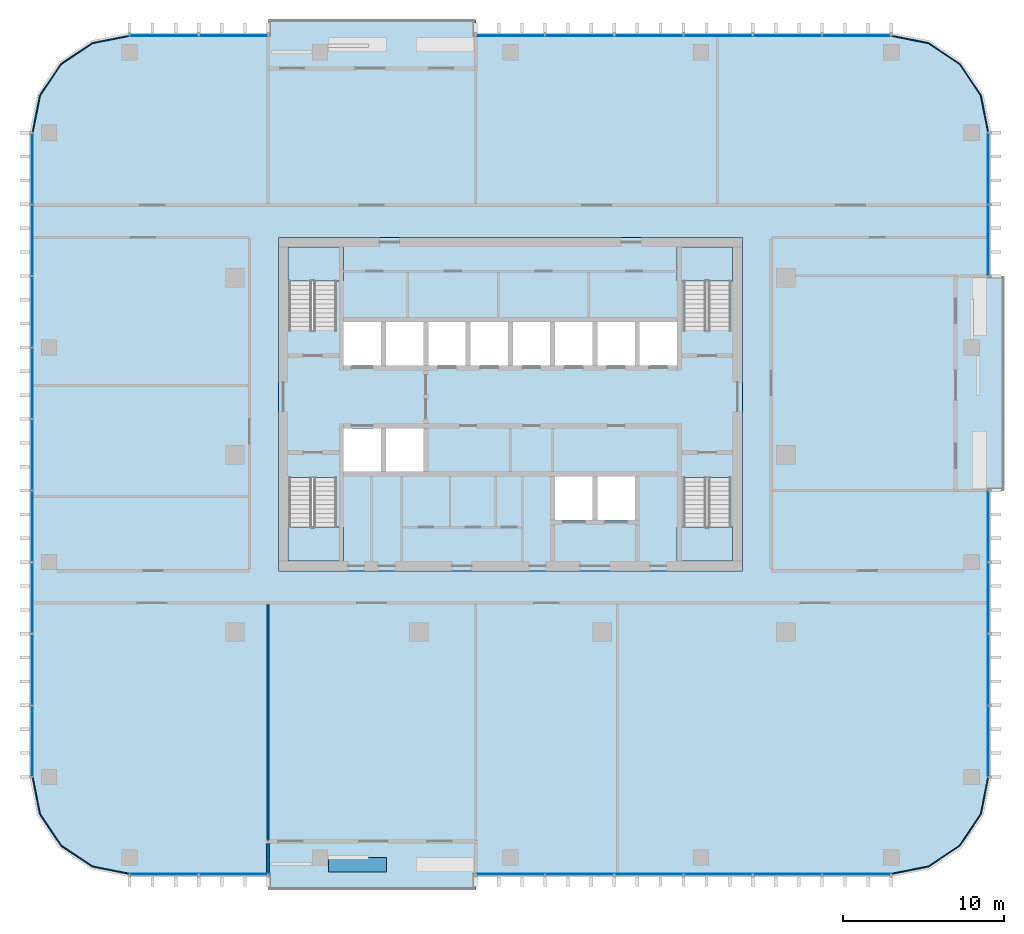
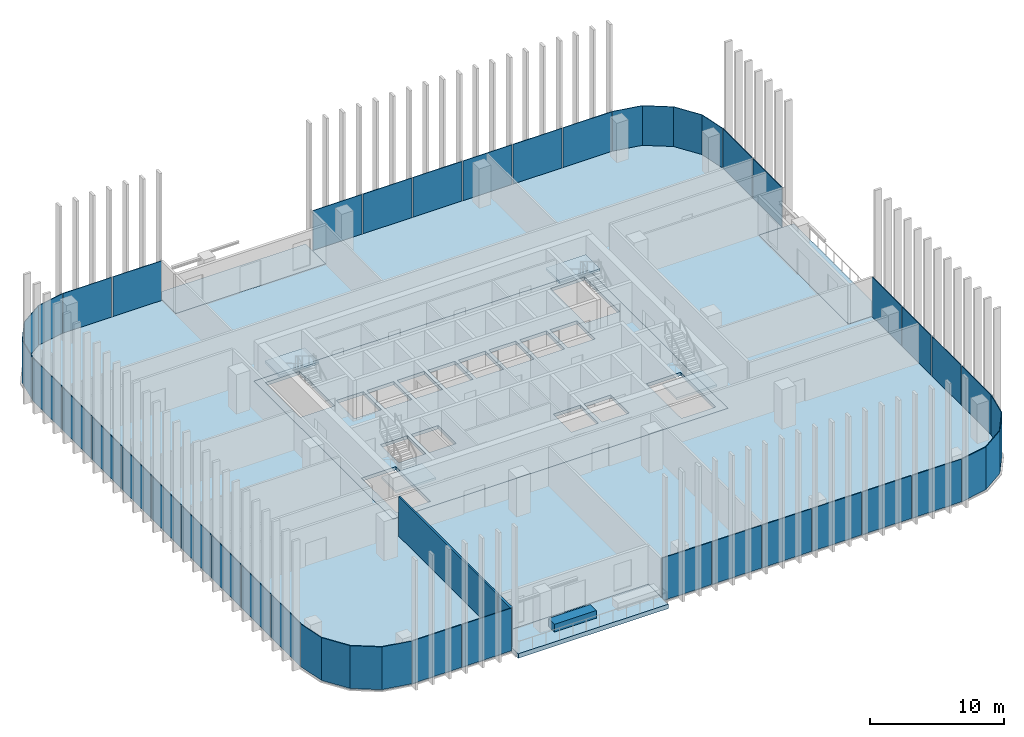
# One storey, part 6 of 16: 35 plates, 9 slabs, 3 walls, 15 elements without a shape of their own.
"""IFC4 building model written with IfcOpenShell, lengths in metres."""

import ifcopenshell
import ifcopenshell.guid

model = None  # the IFC model being written
_history = None  # IfcOwnerHistory: only IFC2X3 demands one
_inside = {}  # id of a spatial element -> (the spatial element, [elements in it])
_under = {}  # id of a project, library or spatial element -> (it, [spatial elements below it])
_declared = {}  # id of a project -> (the project, [libraries it declares])
_typed = {}  # id of a type object -> (the type object, [elements of that type])
_made_of = {}  # id of a material, layer set ... -> (it, [elements and type objects made of it])


def new_model(schema):
    """Start an empty IFC model of exactly this schema.

    Asked for "IFC4X3", IfcOpenShell would pick the latest addendum, in which some entities
    have other attributes; the version numbers below select the first issue.
    IFC2X3 requires an IfcOwnerHistory on every rooted entity: one is made here for all.
    """
    global model, _history
    if schema == "IFC4X3":
        model = ifcopenshell.file(schema_version=(4, 3, 0, 0))
    else:
        model = ifcopenshell.file(schema=schema)
    _inside.clear()
    _under.clear()
    _declared.clear()
    _typed.clear()
    _made_of.clear()
    _history = None
    if model.schema == "IFC2X3":
        org = make("IfcOrganization", Name="unknown")
        user = make(
            "IfcPersonAndOrganization",
            ThePerson=make("IfcPerson", FamilyName="unknown"),
            TheOrganization=org,
        )
        app = make(
            "IfcApplication",
            ApplicationDeveloper=org,
            Version="unknown",
            ApplicationFullName="unknown",
            ApplicationIdentifier="unknown",
        )
        _history = make(
            "IfcOwnerHistory",
            OwningUser=user,
            OwningApplication=app,
            ChangeAction="ADDED",
            CreationDate=0,
        )
    return model


def make(cls, **values):
    """One entity of the class cls with the attributes given. An attribute that is None is left unset."""
    return model.create_entity(
        cls, **{name: value for name, value in values.items() if value is not None}
    )


def rooted(cls, **values):
    """An entity with a GlobalId (a new one), such as an element, a storey or a relation."""
    return make(cls, GlobalId=ifcopenshell.guid.new(), OwnerHistory=_history, **values)


def si_unit(unit_type, name, prefix=None):
    """IfcSIUnit, for example si_unit("LENGTHUNIT", "METRE", prefix="MILLI")."""
    return make("IfcSIUnit", UnitType=unit_type, Prefix=prefix, Name=name)


def assignment(units):
    """IfcUnitAssignment: the units of a project."""
    return None if units is None else make("IfcUnitAssignment", Units=units)


def point(xyz):
    """IfcCartesianPoint."""
    return None if xyz is None else make("IfcCartesianPoint", Coordinates=xyz)


def direction(xyz):
    """IfcDirection."""
    return None if xyz is None else make("IfcDirection", DirectionRatios=xyz)


def frame(location, z_axis=None, x_axis=None):
    """IfcAxis2Placement3D, a coordinate frame: its origin and axes. An axis left out is left unset."""
    return make(
        "IfcAxis2Placement3D",
        Location=point(location),
        Axis=direction(z_axis),
        RefDirection=direction(x_axis),
    )


def frame_2d(location, x_axis=None):
    """IfcAxis2Placement2D, a coordinate frame in the plane: its origin and x axis."""
    return make(
        "IfcAxis2Placement2D", Location=point(location), RefDirection=direction(x_axis)
    )


def origin():
    """The frame at (0, 0, 0) with its axes left unset."""
    return frame((0.0, 0.0, 0.0))


def origin_2d():
    """The frame at (0, 0) in the plane with its x axis left unset."""
    return frame_2d((0.0, 0.0))


def place(relative_to, where):
    """IfcLocalPlacement: puts the frame where relative to a parent placement (None: the world)."""
    return make(
        "IfcLocalPlacement", PlacementRelTo=relative_to, RelativePlacement=where
    )


def context(
    kind, dimensions, precision=None, world=None, true_north=None, identifier=None
):
    """IfcGeometricRepresentationContext, for example the 3D "Model" context."""
    return make(
        "IfcGeometricRepresentationContext",
        ContextIdentifier=identifier,
        ContextType=kind,
        CoordinateSpaceDimension=dimensions,
        Precision=precision,
        WorldCoordinateSystem=world,
        TrueNorth=true_north,
    )


def subcontext(parent, identifier, kind, view, scale=None):
    """IfcGeometricRepresentationSubContext, for example "Body" below "Model"."""
    return make(
        "IfcGeometricRepresentationSubContext",
        ContextIdentifier=identifier,
        ContextType=kind,
        ParentContext=parent,
        TargetScale=scale,
        TargetView=view,
    )


def project(units=None, contexts=None):
    """IfcProject with its units and contexts."""
    return rooted(
        "IfcProject",
        Name="project",
        RepresentationContexts=contexts,
        UnitsInContext=assignment(units),
    )


def spatial(cls, under=None, at=None, **own):
    """A site, building, storey or space (cls), placed at a placement, below another one or the project."""
    s = rooted(cls, ObjectPlacement=at, **own)
    if under is not None:
        _under.setdefault(under.id(), (under, []))[1].append(s)
    return s


def polyline(points):
    """IfcPolyline through the points."""
    return make("IfcPolyline", Points=[point(p) for p in points])


def profile(cls, at=None, kind="AREA", **sizes):
    """A parametric profile (cls). Its sizes go by their IFC names, for example OverallWidth=200.0."""
    return make(cls, ProfileType=kind, Position=at, **sizes)


def rectangle(**sizes):
    """IfcRectangleProfileDef."""
    return profile("IfcRectangleProfileDef", **sizes)


def outline(outer, holes=None, kind="AREA"):
    """IfcArbitraryClosedProfileDef: a profile drawn as a closed curve; with holes, ...WithVoids."""
    if holes is None:
        return make("IfcArbitraryClosedProfileDef", ProfileType=kind, OuterCurve=outer)
    return make(
        "IfcArbitraryProfileDefWithVoids",
        ProfileType=kind,
        OuterCurve=outer,
        InnerCurves=holes,
    )


def extrude(swept, where, along, depth):
    """IfcExtrudedAreaSolid: the profile swept, set in the frame where, extruded along a direction by depth."""
    return make(
        "IfcExtrudedAreaSolid",
        SweptArea=swept,
        Position=where,
        ExtrudedDirection=direction(along),
        Depth=depth,
    )


def shape(context_of_items, identifier, shape_type, items):
    """IfcShapeRepresentation: the items that make up one representation, for example the "Body"."""
    return make(
        "IfcShapeRepresentation",
        ContextOfItems=context_of_items,
        RepresentationIdentifier=identifier,
        RepresentationType=shape_type,
        Items=items,
    )


def material(Name=None, Category=None):
    """IfcMaterial."""
    return make("IfcMaterial", Name=Name, Category=Category)


def layer(
    of_material, thickness, ventilated=None, Name=None, Category=None, Priority=None
):
    """IfcMaterialLayer: one layer of a wall or slab, of a material (None: an air gap)."""
    return make(
        "IfcMaterialLayer",
        Material=of_material,
        LayerThickness=thickness,
        IsVentilated=ventilated,
        Name=Name,
        Category=Category,
        Priority=Priority,
    )


def layer_set(layers, Name=None):
    """IfcMaterialLayerSet."""
    return make("IfcMaterialLayerSet", MaterialLayers=layers, LayerSetName=Name)


def made_of(thing, what):
    """Note that an element or type object is made of a material, layer set ...; save() writes the relation."""
    if what is not None:
        _made_of.setdefault(what.id(), (what, []))[1].append(thing)
    return thing


def type_object(cls, material=None, **own):
    """A type object (cls), such as IfcWallType, which elements share."""
    return made_of(rooted(cls, **own), material)


def element(
    cls,
    number,
    at=None,
    inside=None,
    cuts=None,
    type_object=None,
    material=None,
    context=None,
    identifier="Body",
    shape_type=None,
    held_by="IfcProductDefinitionShape",
    body=None,
    shapes=None,
    **own,
):
    """One element of the class cls, such as IfcWall. Its Tag is "e" and its number.

    at: its placement. inside: the storey or other place that contains it. cuts: it is an
    opening in that element (IfcRelVoidsElement). A single representation is given by context,
    identifier, shape_type and body (its items); several are given by shapes. held_by: the class
    of the entity that holds the representations. save() writes the other relations.
    """
    e = rooted(cls, Tag="e%d" % number, ObjectPlacement=at, **own)
    if body is not None:
        shapes = [shape(context, identifier, shape_type, body)]
    if shapes is not None:
        e.Representation = make(held_by, Representations=shapes)
    if inside is not None:
        _inside.setdefault(inside.id(), (inside, []))[1].append(e)
    if cuts is not None:
        rooted(
            "IfcRelVoidsElement", RelatingBuildingElement=cuts, RelatedOpeningElement=e
        )
    if type_object is not None:
        _typed.setdefault(type_object.id(), (type_object, []))[1].append(e)
    return made_of(e, material)


def aggregate(whole, parts):
    """IfcRelAggregates: a whole, such as a stair, and the parts it consists of."""
    return rooted("IfcRelAggregates", RelatingObject=whole, RelatedObjects=parts)


def save(model, path):
    """Write the relations noted so far, then the file.

    IfcRelAggregates (storeys below a building ...), IfcRelContainedInSpatialStructure (elements
    in a storey), IfcRelDefinesByType, IfcRelAssociatesMaterial and IfcRelDeclares: one each for
    every whole, place, type object, material and project.
    """
    for whole, parts in _under.values():
        aggregate(whole, parts)
    for where, things in _inside.values():
        rooted(
            "IfcRelContainedInSpatialStructure",
            RelatedElements=things,
            RelatingStructure=where,
        )
    for kind, things in _typed.values():
        rooted("IfcRelDefinesByType", RelatedObjects=things, RelatingType=kind)
    for what, things in _made_of.values():
        rooted("IfcRelAssociatesMaterial", RelatedObjects=things, RelatingMaterial=what)
    for by, libraries in _declared.values():
        rooted("IfcRelDeclares", RelatingContext=by, RelatedDefinitions=libraries)
    model.write(path)


model = new_model("IFC4")

# Units and contexts
model_context = context("Model", 3, precision=1e-05, world=origin(), true_north=direction((0.0, 1.0)))
body_context = subcontext(model_context, "Body", "Model", "MODEL_VIEW")
ifc_project = project(units=[si_unit("LENGTHUNIT", "METRE"), si_unit("AREAUNIT", "SQUARE_METRE"), si_unit("VOLUMEUNIT", "CUBIC_METRE"), si_unit("PLANEANGLEUNIT", "RADIAN"), si_unit("MASSUNIT", "GRAM", prefix="KILO")], contexts=[model_context])

# Site, building, storey
site_placement = place(None, origin())
site = spatial("IfcSite", under=ifc_project, at=site_placement, CompositionType="ELEMENT")
building_placement = place(site_placement, origin())
building = spatial("IfcBuilding", under=site, at=building_placement, Name="Mopane Tessera Tower", CompositionType="ELEMENT")
storey_placement = place(building_placement, frame((0.0, 0.0, 303.39990234375)))
storey = spatial("IfcBuildingStorey", under=building, at=storey_placement, Name="L66", CompositionType="ELEMENT", Elevation=303.39990234375)

# Slab
ifc_material_1 = material(Name="Concrete C40/50", Category="concrete")
ifc_layer_1 = layer(ifc_material_1, 0.300048828125)
ifc_layer_set_1 = layer_set([ifc_layer_1], Name="Concrete C40/50")
slab_type_1 = type_object("IfcSlabType", Name="Core floor slab 300 mm", PredefinedType="FLOOR", material=ifc_layer_set_1)
slab_1_placement = place(storey_placement, frame((0.0, 0.0, -0.2998046875)))
element("IfcSlab", 1, at=slab_1_placement, inside=storey, type_object=slab_type_1, Name="L66 core floor slab", PredefinedType="FLOOR", context=body_context, shape_type="SweptSolid", body=[
    extrude(outline(polyline([(-14.39990234375, -7.199951171875), (14.39990234375, -7.199951171875), (14.39990234375, 13.5), (-14.39990234375, 13.5), (-14.39990234375, -7.199951171875)]), holes=[polyline([(-10.35009765625, -1.050048828125), (-8.02490234375, -1.050048828125), (-8.02490234375, 1.64990234375), (-10.35009765625, 1.64990234375), (-10.35009765625, -1.050048828125)]), polyline([(-7.72509765625, -1.050048828125), (-5.39990234375, -1.050048828125), (-5.39990234375, 1.64990234375), (-7.72509765625, 1.64990234375), (-7.72509765625, -1.050048828125)]), polyline([(-10.35009765625, 5.550048828125), (-8.02490234375, 5.550048828125), (-8.02490234375, 8.25), (-10.35009765625, 8.25), (-10.35009765625, 5.550048828125)]), polyline([(-7.72509765625, 5.550048828125), (-5.39990234375, 5.550048828125), (-5.39990234375, 8.25), (-7.72509765625, 8.25), (-7.72509765625, 5.550048828125)]), polyline([(-5.10009765625, 5.550048828125), (-2.77490234375, 5.550048828125), (-2.77490234375, 8.25), (-5.10009765625, 8.25), (-5.10009765625, 5.550048828125)]), polyline([(-2.47509765625, 5.550048828125), (-0.14990234375, 5.550048828125), (-0.14990234375, 8.25), (-2.47509765625, 8.25), (-2.47509765625, 5.550048828125)]), polyline([(0.14990234375, 5.550048828125), (2.47509765625, 5.550048828125), (2.47509765625, 8.25), (0.14990234375, 8.25), (0.14990234375, 5.550048828125)]), polyline([(2.77490234375, 5.550048828125), (5.10009765625, 5.550048828125), (5.10009765625, 8.25), (2.77490234375, 8.25), (2.77490234375, 5.550048828125)]), polyline([(5.39990234375, 5.550048828125), (7.72509765625, 5.550048828125), (7.72509765625, 8.25), (5.39990234375, 8.25), (5.39990234375, 5.550048828125)]), polyline([(8.02490234375, 5.550048828125), (10.35009765625, 5.550048828125), (10.35009765625, 8.25), (8.02490234375, 8.25), (8.02490234375, 5.550048828125)]), polyline([(2.77490234375, -4.050048828125), (5.10009765625, -4.050048828125), (5.10009765625, -1.35009765625), (2.77490234375, -1.35009765625), (2.77490234375, -4.050048828125)]), polyline([(5.39990234375, -4.050048828125), (7.72509765625, -4.050048828125), (7.72509765625, -1.35009765625), (5.39990234375, -1.35009765625), (5.39990234375, -4.050048828125)]), polyline([(-13.75, -1.405029296875), (-13.75, -6.60009765625), (-10.800048828125, -6.60009765625), (-10.800048828125, -1.405029296875), (-13.75, -1.405029296875)]), polyline([(-10.800048828125, 7.705078125), (-10.800048828125, 12.89990234375), (-13.75, 12.89990234375), (-13.75, 7.705078125), (-10.800048828125, 7.705078125)]), polyline([(10.75, -1.405029296875), (10.75, -6.60009765625), (13.699951171875, -6.60009765625), (13.699951171875, -1.405029296875), (10.75, -1.405029296875)]), polyline([(13.699951171875, 7.705078125), (13.699951171875, 12.89990234375), (10.75, 12.89990234375), (10.75, 7.705078125), (13.699951171875, 7.705078125)])]), origin(), (0.0, 0.0, 1.0), 0.2998046875),
])

# Stair, slab
ifc_material_2 = material(Name="Concrete C50/60", Category="concrete")
stair_type = type_object("IfcStairType", Name="Escape stair 1400 mm, riser 167 mm", PredefinedType="HALF_TURN_STAIR", material=ifc_material_2)
stair_1_placement = place(storey_placement, origin())
stair_1 = element("IfcStair", 2, at=stair_1_placement, inside=storey, type_object=stair_type, Name="L66 Escape stair south-west", PredefinedType="HALF_TURN_STAIR")
ifc_material_3 = material(Name="Concrete C50/60", Category="concrete")
ifc_layer_2 = layer(ifc_material_3, 0.199951171875)
ifc_layer_set_2 = layer_set([ifc_layer_2], Name="Concrete C50/60")
slab_type_2 = type_object("IfcSlabType", Name="Escape stair landing 200 mm", PredefinedType="LANDING", material=ifc_layer_set_2)
slab_2_placement = place(storey_placement, frame((0.0, 0.0, 1.800048828125)))
slab_2 = element("IfcSlab", 3, at=slab_2_placement, type_object=slab_type_2, Name="ST1 landing 1", PredefinedType="LANDING", context=body_context, shape_type="SweptSolid", body=[
    extrude(outline(polyline([(-13.800048828125, -4.47998046875), (-13.800048828125, -6.60009765625), (-10.35009765625, -6.60009765625), (-10.35009765625, -4.47998046875), (-13.800048828125, -4.47998046875)])), origin(), (0.0, 0.0, 1.0), 0.199951171875),
])
aggregate(stair_1, [slab_2])

stair_2_placement = place(storey_placement, origin())
stair_2 = element("IfcStair", 4, at=stair_2_placement, inside=storey, type_object=stair_type, Name="L66 Escape stair north-west", PredefinedType="HALF_TURN_STAIR")
slab_3_placement = place(storey_placement, frame((0.0, 0.0, 1.800048828125)))
slab_3 = element("IfcSlab", 5, at=slab_3_placement, type_object=slab_type_2, Name="ST2 landing 1", PredefinedType="LANDING", context=body_context, shape_type="SweptSolid", body=[
    extrude(outline(polyline([(-10.35009765625, 10.780029296875), (-10.35009765625, 12.89990234375), (-13.800048828125, 12.89990234375), (-13.800048828125, 10.780029296875), (-10.35009765625, 10.780029296875)])), origin(), (0.0, 0.0, 1.0), 0.199951171875),
])
aggregate(stair_2, [slab_3])

stair_3_placement = place(storey_placement, origin())
stair_3 = element("IfcStair", 6, at=stair_3_placement, inside=storey, type_object=stair_type, Name="L66 Escape stair south-east", PredefinedType="HALF_TURN_STAIR")
slab_4_placement = place(storey_placement, frame((0.0, 0.0, 1.800048828125)))
slab_4 = element("IfcSlab", 7, at=slab_4_placement, type_object=slab_type_2, Name="ST3 landing 1", PredefinedType="LANDING", context=body_context, shape_type="SweptSolid", body=[
    extrude(outline(polyline([(10.35009765625, -4.47998046875), (10.35009765625, -6.60009765625), (13.800048828125, -6.60009765625), (13.800048828125, -4.47998046875), (10.35009765625, -4.47998046875)])), origin(), (0.0, 0.0, 1.0), 0.199951171875),
])
aggregate(stair_3, [slab_4])

stair_4_placement = place(storey_placement, origin())
stair_4 = element("IfcStair", 8, at=stair_4_placement, inside=storey, type_object=stair_type, Name="L66 Escape stair north-east", PredefinedType="HALF_TURN_STAIR")
slab_5_placement = place(storey_placement, frame((0.0, 0.0, 1.800048828125)))
slab_5 = element("IfcSlab", 9, at=slab_5_placement, type_object=slab_type_2, Name="ST4 landing 1", PredefinedType="LANDING", context=body_context, shape_type="SweptSolid", body=[
    extrude(outline(polyline([(13.800048828125, 10.780029296875), (13.800048828125, 12.89990234375), (10.35009765625, 12.89990234375), (10.35009765625, 10.780029296875), (13.800048828125, 10.780029296875)])), origin(), (0.0, 0.0, 1.0), 0.199951171875),
])
aggregate(stair_4, [slab_5])

# Slabs
ifc_material_4 = material(Name="Concrete C40/50", Category="concrete")
ifc_layer_3 = layer(ifc_material_4, 0.39990234375)
ifc_layer_set_3 = layer_set([ifc_layer_3], Name="Concrete C40/50")
slab_type_3 = type_object("IfcSlabType", Name="Planted terrace slab 400 mm", PredefinedType="FLOOR", material=ifc_layer_set_3)
slab_6_placement = place(storey_placement, frame((0.0, 0.0, -0.39990234375)))
element("IfcSlab", 10, at=slab_6_placement, inside=storey, type_object=slab_type_3, Name="Terrace slab N1 L66", PredefinedType="FLOOR", context=body_context, shape_type="SweptSolid", body=[
    extrude(outline(polyline([(30.64990234375, 11.111083984375), (27.64990234375, 11.111083984375), (27.64990234375, -2.22216796875), (30.64990234375, -2.22216796875), (30.64990234375, 11.111083984375)])), origin(), (0.0, 0.0, 1.0), 0.39990234375),
])
slab_7_placement = place(storey_placement, frame((0.0, 0.0, -0.39990234375)))
element("IfcSlab", 11, at=slab_7_placement, inside=storey, type_object=slab_type_3, Name="Terrace slab N2 L66", PredefinedType="FLOOR", context=body_context, shape_type="SweptSolid", body=[
    extrude(outline(polyline([(-15.050048828125, 27.0), (-15.050048828125, 24.0), (-2.14990234375, 24.0), (-2.14990234375, 27.0), (-15.050048828125, 27.0)])), origin(), (0.0, 0.0, 1.0), 0.39990234375),
])
slab_8_placement = place(storey_placement, frame((0.0, 0.0, -0.39990234375)))
element("IfcSlab", 12, at=slab_8_placement, inside=storey, type_object=slab_type_3, Name="Terrace slab N3 L66", PredefinedType="FLOOR", context=body_context, shape_type="SweptSolid", body=[
    extrude(outline(polyline([(-2.14990234375, -27.0), (-2.14990234375, -24.0), (-15.050048828125, -24.0), (-15.050048828125, -27.0), (-2.14990234375, -27.0)])), origin(), (0.0, 0.0, 1.0), 0.39990234375),
])
ifc_material_5 = material(Name="Concrete C40/50", Category="concrete")
ifc_layer_4 = layer(ifc_material_5, 0.39990234375)
ifc_layer_set_4 = layer_set([ifc_layer_4], Name="Concrete C40/50")
slab_type_4 = type_object("IfcSlabType", Name="Post-tensioned flat plate 400 mm", PredefinedType="FLOOR", material=ifc_layer_set_4)
slab_9_placement = place(storey_placement, frame((0.0, 0.0, -0.39990234375)))
element("IfcSlab", 13, at=slab_9_placement, inside=storey, type_object=slab_type_4, Name="Floor slab L66", PredefinedType="FLOOR", context=body_context, shape_type="SweptSolid", body=[
    extrude(outline(polyline([(-23.64990234375, -26.0), (-15.050048828125, -26.0), (-15.050048828125, -24.0), (-2.14990234375, -24.0), (-2.14990234375, -26.0), (23.64990234375, -26.0), (25.946044921875, -25.543212890625), (27.892578125, -24.24267578125), (29.193359375, -22.296142578125), (29.64990234375, -20.0), (29.64990234375, -2.22216796875), (27.64990234375, -2.22216796875), (27.64990234375, 11.111083984375), (29.64990234375, 11.111083984375), (29.64990234375, 20.0), (29.193359375, 22.296142578125), (27.892578125, 24.24267578125), (25.946044921875, 25.543212890625), (23.64990234375, 26.0), (-2.14990234375, 26.0), (-2.14990234375, 24.0), (-15.050048828125, 24.0), (-15.050048828125, 26.0), (-23.64990234375, 26.0), (-25.946044921875, 25.543212890625), (-27.892578125, 24.24267578125), (-29.193359375, 22.296142578125), (-29.64990234375, 20.0), (-29.64990234375, -20.0), (-29.193359375, -22.296142578125), (-27.892578125, -24.24267578125), (-25.946044921875, -25.543212890625), (-23.64990234375, -26.0)]), holes=[polyline([(14.39990234375, -7.199951171875), (-14.39990234375, -7.199951171875), (-14.39990234375, 13.5), (14.39990234375, 13.5), (14.39990234375, -7.199951171875)])]), origin(), (0.0, 0.0, 1.0), 0.39990234375),
])

# Curtain wall, plates
ifc_material_6 = material(Name="Aluminium frame", Category="aluminium")
curtain_wall_type = type_object("IfcCurtainWallType", Name="Unitised curtain wall", PredefinedType="NOTDEFINED", material=ifc_material_6)
curtain_wall_1_placement = place(storey_placement, origin())
curtain_wall_1 = element("IfcCurtainWall", 14, at=curtain_wall_1_placement, inside=storey, type_object=curtain_wall_type, Name="e:cw:L66:S:0", PredefinedType="NOTDEFINED")
ifc_material_7 = material(Name="Clear laminated glass", Category="glass")
ifc_layer_5 = layer(ifc_material_7, 0.06005859375)
ifc_layer_set_5 = layer_set([ifc_layer_5], Name="Clear laminated glass")
plate_type = type_object("IfcPlateType", Name="Unitised glazed unit", PredefinedType="CURTAIN_PANEL", material=ifc_layer_set_5)
plate_1_placement = place(storey_placement, frame((-21.5, -26.030029296875, -0.27978515625), z_axis=(0.0, 0.0, 1.0), x_axis=(1.0, 0.0, 0.0)))
plate_1 = element("IfcPlate", 15, at=plate_1_placement, type_object=plate_type, Name="e:cw:L66:S:0:pn0", PredefinedType="CURTAIN_PANEL", context=body_context, shape_type="SweptSolid", body=[
    extrude(rectangle(XDim=4.199951171875, YDim=0.06005859375, at=origin_2d()), origin(), (0.0, 0.0, 1.0), 3.8798828125),
])
plate_2_placement = place(storey_placement, frame((-17.199951171875, -26.030029296875, -0.27978515625), z_axis=(0.0, 0.0, 1.0), x_axis=(1.0, 0.0, 0.0)))
plate_2 = element("IfcPlate", 16, at=plate_2_placement, type_object=plate_type, Name="e:cw:L66:S:0:pn1", PredefinedType="CURTAIN_PANEL", context=body_context, shape_type="SweptSolid", body=[
    extrude(rectangle(XDim=4.199951171875, YDim=0.06005859375, at=origin_2d()), origin(), (0.0, 0.0, 1.0), 3.8798828125),
])
aggregate(curtain_wall_1, [plate_1, plate_2])

curtain_wall_2_placement = place(storey_placement, origin())
curtain_wall_2 = element("IfcCurtainWall", 17, at=curtain_wall_2_placement, inside=storey, type_object=curtain_wall_type, Name="e:cw:L66:S:5", PredefinedType="NOTDEFINED")
plate_3_placement = place(storey_placement, frame((0.0, -26.030029296875, -0.27978515625), z_axis=(0.0, 0.0, 1.0), x_axis=(1.0, 0.0, 0.0)))
plate_3 = element("IfcPlate", 18, at=plate_3_placement, type_object=plate_type, Name="e:cw:L66:S:5:pn5", PredefinedType="CURTAIN_PANEL", context=body_context, shape_type="SweptSolid", body=[
    extrude(rectangle(XDim=4.199951171875, YDim=0.06005859375, at=origin_2d()), origin(), (0.0, 0.0, 1.0), 3.8798828125),
])
plate_4_placement = place(storey_placement, frame((4.300048828125, -26.030029296875, -0.27978515625), z_axis=(0.0, 0.0, 1.0), x_axis=(1.0, 0.0, 0.0)))
plate_4 = element("IfcPlate", 19, at=plate_4_placement, type_object=plate_type, Name="e:cw:L66:S:5:pn6", PredefinedType="CURTAIN_PANEL", context=body_context, shape_type="SweptSolid", body=[
    extrude(rectangle(XDim=4.199951171875, YDim=0.06005859375, at=origin_2d()), origin(), (0.0, 0.0, 1.0), 3.8798828125),
])
plate_5_placement = place(storey_placement, frame((8.60009765625, -26.030029296875, -0.27978515625), z_axis=(0.0, 0.0, 1.0), x_axis=(1.0, 0.0, 0.0)))
plate_5 = element("IfcPlate", 20, at=plate_5_placement, type_object=plate_type, Name="e:cw:L66:S:5:pn7", PredefinedType="CURTAIN_PANEL", context=body_context, shape_type="SweptSolid", body=[
    extrude(rectangle(XDim=4.199951171875, YDim=0.06005859375, at=origin_2d()), origin(), (0.0, 0.0, 1.0), 3.8798828125),
])
plate_6_placement = place(storey_placement, frame((12.89990234375, -26.030029296875, -0.27978515625), z_axis=(0.0, 0.0, 1.0), x_axis=(1.0, 0.0, 0.0)))
plate_6 = element("IfcPlate", 21, at=plate_6_placement, type_object=plate_type, Name="e:cw:L66:S:5:pn8", PredefinedType="CURTAIN_PANEL", context=body_context, shape_type="SweptSolid", body=[
    extrude(rectangle(XDim=4.199951171875, YDim=0.06005859375, at=origin_2d()), origin(), (0.0, 0.0, 1.0), 3.8798828125),
])
plate_7_placement = place(storey_placement, frame((17.199951171875, -26.030029296875, -0.27978515625), z_axis=(0.0, 0.0, 1.0), x_axis=(1.0, 0.0, 0.0)))
plate_7 = element("IfcPlate", 22, at=plate_7_placement, type_object=plate_type, Name="e:cw:L66:S:5:pn9", PredefinedType="CURTAIN_PANEL", context=body_context, shape_type="SweptSolid", body=[
    extrude(rectangle(XDim=4.199951171875, YDim=0.06005859375, at=origin_2d()), origin(), (0.0, 0.0, 1.0), 3.8798828125),
])
plate_8_placement = place(storey_placement, frame((21.5, -26.030029296875, -0.27978515625), z_axis=(0.0, 0.0, 1.0), x_axis=(1.0, 0.0, 0.0)))
plate_8 = element("IfcPlate", 23, at=plate_8_placement, type_object=plate_type, Name="e:cw:L66:S:5:pn10", PredefinedType="CURTAIN_PANEL", context=body_context, shape_type="SweptSolid", body=[
    extrude(rectangle(XDim=4.199951171875, YDim=0.06005859375, at=origin_2d()), origin(), (0.0, 0.0, 1.0), 3.8798828125),
])
aggregate(curtain_wall_2, [plate_3, plate_4, plate_5, plate_6, plate_7, plate_8])

# Curtain wall, plate
curtain_wall_3_placement = place(storey_placement, origin())
curtain_wall_3 = element("IfcCurtainWall", 24, at=curtain_wall_3_placement, inside=storey, type_object=curtain_wall_type, Name="e:cw:L66:CS", PredefinedType="NOTDEFINED")
plate_9_placement = place(storey_placement, frame((0.0, 0.0, -0.27978515625)))
plate_9 = element("IfcPlate", 25, at=plate_9_placement, type_object=plate_type, Name="e:cw:L66:CS:pn", PredefinedType="CURTAIN_PANEL", context=body_context, shape_type="SweptSolid", body=[
    extrude(outline(polyline([(23.64990234375, -26.0), (25.946044921875, -25.543212890625), (27.892578125, -24.24267578125), (29.193359375, -22.296142578125), (29.64990234375, -20.0), (29.7099609375, -20.0), (29.248779296875, -22.319091796875), (27.93505859375, -24.28515625), (25.968994140625, -25.5986328125), (23.64990234375, -26.06005859375), (23.64990234375, -26.0)])), origin(), (0.0, 0.0, 1.0), 3.8798828125),
])
aggregate(curtain_wall_3, [plate_9])

# Curtain wall, plates
curtain_wall_4_placement = place(storey_placement, origin())
curtain_wall_4 = element("IfcCurtainWall", 26, at=curtain_wall_4_placement, inside=storey, type_object=curtain_wall_type, Name="e:cw:L66:E:0", PredefinedType="NOTDEFINED")
plate_10_placement = place(storey_placement, frame((29.679931640625, -17.77783203125, -0.27978515625), z_axis=(0.0, 0.0, 1.0), x_axis=(0.0, 1.0, 0.0)))
plate_10 = element("IfcPlate", 27, at=plate_10_placement, type_object=plate_type, Name="e:cw:L66:E:0:pn0", PredefinedType="CURTAIN_PANEL", context=body_context, shape_type="SweptSolid", body=[
    extrude(rectangle(XDim=4.344482421875, YDim=0.06005859375, at=origin_2d()), origin(), (0.0, 0.0, 1.0), 3.8798828125),
])
plate_11_placement = place(storey_placement, frame((29.679931640625, -13.333251953125, -0.27978515625), z_axis=(0.0, 0.0, 1.0), x_axis=(0.0, 1.0, 0.0)))
plate_11 = element("IfcPlate", 28, at=plate_11_placement, type_object=plate_type, Name="e:cw:L66:E:0:pn1", PredefinedType="CURTAIN_PANEL", context=body_context, shape_type="SweptSolid", body=[
    extrude(rectangle(XDim=4.344482421875, YDim=0.06005859375, at=origin_2d()), origin(), (0.0, 0.0, 1.0), 3.8798828125),
])
plate_12_placement = place(storey_placement, frame((29.679931640625, -8.888916015625, -0.27978515625), z_axis=(0.0, 0.0, 1.0), x_axis=(0.0, 1.0, 0.0)))
plate_12 = element("IfcPlate", 29, at=plate_12_placement, type_object=plate_type, Name="e:cw:L66:E:0:pn2", PredefinedType="CURTAIN_PANEL", context=body_context, shape_type="SweptSolid", body=[
    extrude(rectangle(XDim=4.344482421875, YDim=0.06005859375, at=origin_2d()), origin(), (0.0, 0.0, 1.0), 3.8798828125),
])
plate_13_placement = place(storey_placement, frame((29.679931640625, -4.4443359375, -0.27978515625), z_axis=(0.0, 0.0, 1.0), x_axis=(0.0, 1.0, 0.0)))
plate_13 = element("IfcPlate", 30, at=plate_13_placement, type_object=plate_type, Name="e:cw:L66:E:0:pn3", PredefinedType="CURTAIN_PANEL", context=body_context, shape_type="SweptSolid", body=[
    extrude(rectangle(XDim=4.344482421875, YDim=0.06005859375, at=origin_2d()), origin(), (0.0, 0.0, 1.0), 3.8798828125),
])
aggregate(curtain_wall_4, [plate_10, plate_11, plate_12, plate_13])

curtain_wall_5_placement = place(storey_placement, origin())
curtain_wall_5 = element("IfcCurtainWall", 31, at=curtain_wall_5_placement, inside=storey, type_object=curtain_wall_type, Name="e:cw:L66:E:7", PredefinedType="NOTDEFINED")
plate_14_placement = place(storey_placement, frame((29.679931640625, 13.333251953125, -0.27978515625), z_axis=(0.0, 0.0, 1.0), x_axis=(0.0, 1.0, 0.0)))
plate_14 = element("IfcPlate", 32, at=plate_14_placement, type_object=plate_type, Name="e:cw:L66:E:7:pn7", PredefinedType="CURTAIN_PANEL", context=body_context, shape_type="SweptSolid", body=[
    extrude(rectangle(XDim=4.344482421875, YDim=0.06005859375, at=origin_2d()), origin(), (0.0, 0.0, 1.0), 3.8798828125),
])
plate_15_placement = place(storey_placement, frame((29.679931640625, 17.77783203125, -0.27978515625), z_axis=(0.0, 0.0, 1.0), x_axis=(0.0, 1.0, 0.0)))
plate_15 = element("IfcPlate", 33, at=plate_15_placement, type_object=plate_type, Name="e:cw:L66:E:7:pn8", PredefinedType="CURTAIN_PANEL", context=body_context, shape_type="SweptSolid", body=[
    extrude(rectangle(XDim=4.344482421875, YDim=0.06005859375, at=origin_2d()), origin(), (0.0, 0.0, 1.0), 3.8798828125),
])
aggregate(curtain_wall_5, [plate_14, plate_15])

# Curtain wall, plate
curtain_wall_6_placement = place(storey_placement, origin())
curtain_wall_6 = element("IfcCurtainWall", 34, at=curtain_wall_6_placement, inside=storey, type_object=curtain_wall_type, Name="e:cw:L66:CE", PredefinedType="NOTDEFINED")
plate_16_placement = place(storey_placement, frame((0.0, 0.0, -0.27978515625)))
plate_16 = element("IfcPlate", 35, at=plate_16_placement, type_object=plate_type, Name="e:cw:L66:CE:pn", PredefinedType="CURTAIN_PANEL", context=body_context, shape_type="SweptSolid", body=[
    extrude(outline(polyline([(29.64990234375, 20.0), (29.193359375, 22.296142578125), (27.892578125, 24.24267578125), (25.946044921875, 25.543212890625), (23.64990234375, 26.0), (23.64990234375, 26.06005859375), (25.968994140625, 25.5986328125), (27.93505859375, 24.28515625), (29.248779296875, 22.319091796875), (29.7099609375, 20.0), (29.64990234375, 20.0)])), origin(), (0.0, 0.0, 1.0), 3.8798828125),
])
aggregate(curtain_wall_6, [plate_16])

# Curtain wall, plates
curtain_wall_7_placement = place(storey_placement, origin())
curtain_wall_7 = element("IfcCurtainWall", 36, at=curtain_wall_7_placement, inside=storey, type_object=curtain_wall_type, Name="e:cw:L66:N:0", PredefinedType="NOTDEFINED")
plate_17_placement = place(storey_placement, frame((21.5, 26.030029296875, -0.27978515625), z_axis=(0.0, 0.0, 1.0), x_axis=(-1.0, 0.0, 0.0)))
plate_17 = element("IfcPlate", 37, at=plate_17_placement, type_object=plate_type, Name="e:cw:L66:N:0:pn0", PredefinedType="CURTAIN_PANEL", context=body_context, shape_type="SweptSolid", body=[
    extrude(rectangle(XDim=4.199951171875, YDim=0.06005859375, at=origin_2d()), origin(), (0.0, 0.0, 1.0), 3.8798828125),
])
plate_18_placement = place(storey_placement, frame((17.199951171875, 26.030029296875, -0.27978515625), z_axis=(0.0, 0.0, 1.0), x_axis=(-1.0, 0.0, 0.0)))
plate_18 = element("IfcPlate", 38, at=plate_18_placement, type_object=plate_type, Name="e:cw:L66:N:0:pn1", PredefinedType="CURTAIN_PANEL", context=body_context, shape_type="SweptSolid", body=[
    extrude(rectangle(XDim=4.199951171875, YDim=0.06005859375, at=origin_2d()), origin(), (0.0, 0.0, 1.0), 3.8798828125),
])
plate_19_placement = place(storey_placement, frame((12.89990234375, 26.030029296875, -0.27978515625), z_axis=(0.0, 0.0, 1.0), x_axis=(-1.0, 0.0, 0.0)))
plate_19 = element("IfcPlate", 39, at=plate_19_placement, type_object=plate_type, Name="e:cw:L66:N:0:pn2", PredefinedType="CURTAIN_PANEL", context=body_context, shape_type="SweptSolid", body=[
    extrude(rectangle(XDim=4.199951171875, YDim=0.06005859375, at=origin_2d()), origin(), (0.0, 0.0, 1.0), 3.8798828125),
])
plate_20_placement = place(storey_placement, frame((8.60009765625, 26.030029296875, -0.27978515625), z_axis=(0.0, 0.0, 1.0), x_axis=(-1.0, 0.0, 0.0)))
plate_20 = element("IfcPlate", 40, at=plate_20_placement, type_object=plate_type, Name="e:cw:L66:N:0:pn3", PredefinedType="CURTAIN_PANEL", context=body_context, shape_type="SweptSolid", body=[
    extrude(rectangle(XDim=4.199951171875, YDim=0.06005859375, at=origin_2d()), origin(), (0.0, 0.0, 1.0), 3.8798828125),
])
plate_21_placement = place(storey_placement, frame((4.300048828125, 26.030029296875, -0.27978515625), z_axis=(0.0, 0.0, 1.0), x_axis=(-1.0, 0.0, 0.0)))
plate_21 = element("IfcPlate", 41, at=plate_21_placement, type_object=plate_type, Name="e:cw:L66:N:0:pn4", PredefinedType="CURTAIN_PANEL", context=body_context, shape_type="SweptSolid", body=[
    extrude(rectangle(XDim=4.199951171875, YDim=0.06005859375, at=origin_2d()), origin(), (0.0, 0.0, 1.0), 3.8798828125),
])
plate_22_placement = place(storey_placement, frame((0.0, 26.030029296875, -0.27978515625), z_axis=(0.0, 0.0, 1.0), x_axis=(-1.0, 0.0, 0.0)))
plate_22 = element("IfcPlate", 42, at=plate_22_placement, type_object=plate_type, Name="e:cw:L66:N:0:pn5", PredefinedType="CURTAIN_PANEL", context=body_context, shape_type="SweptSolid", body=[
    extrude(rectangle(XDim=4.199951171875, YDim=0.06005859375, at=origin_2d()), origin(), (0.0, 0.0, 1.0), 3.8798828125),
])
aggregate(curtain_wall_7, [plate_17, plate_18, plate_19, plate_20, plate_21, plate_22])

curtain_wall_8_placement = place(storey_placement, origin())
curtain_wall_8 = element("IfcCurtainWall", 43, at=curtain_wall_8_placement, inside=storey, type_object=curtain_wall_type, Name="e:cw:L66:N:9", PredefinedType="NOTDEFINED")
plate_23_placement = place(storey_placement, frame((-17.199951171875, 26.030029296875, -0.27978515625), z_axis=(0.0, 0.0, 1.0), x_axis=(-1.0, 0.0, 0.0)))
plate_23 = element("IfcPlate", 44, at=plate_23_placement, type_object=plate_type, Name="e:cw:L66:N:9:pn9", PredefinedType="CURTAIN_PANEL", context=body_context, shape_type="SweptSolid", body=[
    extrude(rectangle(XDim=4.199951171875, YDim=0.06005859375, at=origin_2d()), origin(), (0.0, 0.0, 1.0), 3.8798828125),
])
plate_24_placement = place(storey_placement, frame((-21.5, 26.030029296875, -0.27978515625), z_axis=(0.0, 0.0, 1.0), x_axis=(-1.0, 0.0, 0.0)))
plate_24 = element("IfcPlate", 45, at=plate_24_placement, type_object=plate_type, Name="e:cw:L66:N:9:pn10", PredefinedType="CURTAIN_PANEL", context=body_context, shape_type="SweptSolid", body=[
    extrude(rectangle(XDim=4.199951171875, YDim=0.06005859375, at=origin_2d()), origin(), (0.0, 0.0, 1.0), 3.8798828125),
])
aggregate(curtain_wall_8, [plate_23, plate_24])

# Curtain wall, plate
curtain_wall_9_placement = place(storey_placement, origin())
curtain_wall_9 = element("IfcCurtainWall", 46, at=curtain_wall_9_placement, inside=storey, type_object=curtain_wall_type, Name="e:cw:L66:CN", PredefinedType="NOTDEFINED")
plate_25_placement = place(storey_placement, frame((0.0, 0.0, -0.27978515625)))
plate_25 = element("IfcPlate", 47, at=plate_25_placement, type_object=plate_type, Name="e:cw:L66:CN:pn", PredefinedType="CURTAIN_PANEL", context=body_context, shape_type="SweptSolid", body=[
    extrude(outline(polyline([(-23.64990234375, 26.0), (-25.946044921875, 25.543212890625), (-27.892578125, 24.24267578125), (-29.193359375, 22.296142578125), (-29.64990234375, 20.0), (-29.7099609375, 20.0), (-29.248779296875, 22.319091796875), (-27.93505859375, 24.28515625), (-25.968994140625, 25.5986328125), (-23.64990234375, 26.06005859375), (-23.64990234375, 26.0)])), origin(), (0.0, 0.0, 1.0), 3.8798828125),
])
aggregate(curtain_wall_9, [plate_25])

# Curtain wall, plates
curtain_wall_10_placement = place(storey_placement, origin())
curtain_wall_10 = element("IfcCurtainWall", 48, at=curtain_wall_10_placement, inside=storey, type_object=curtain_wall_type, Name="e:cw:L66:W:0", PredefinedType="NOTDEFINED")
plate_26_placement = place(storey_placement, frame((-29.679931640625, 17.77783203125, -0.27978515625), z_axis=(0.0, 0.0, 1.0), x_axis=(0.0, -1.0, 0.0)))
plate_26 = element("IfcPlate", 49, at=plate_26_placement, type_object=plate_type, Name="e:cw:L66:W:0:pn0", PredefinedType="CURTAIN_PANEL", context=body_context, shape_type="SweptSolid", body=[
    extrude(rectangle(XDim=4.344482421875, YDim=0.06005859375, at=origin_2d()), origin(), (0.0, 0.0, 1.0), 3.8798828125),
])
plate_27_placement = place(storey_placement, frame((-29.679931640625, 13.333251953125, -0.27978515625), z_axis=(0.0, 0.0, 1.0), x_axis=(0.0, -1.0, 0.0)))
plate_27 = element("IfcPlate", 50, at=plate_27_placement, type_object=plate_type, Name="e:cw:L66:W:0:pn1", PredefinedType="CURTAIN_PANEL", context=body_context, shape_type="SweptSolid", body=[
    extrude(rectangle(XDim=4.344482421875, YDim=0.06005859375, at=origin_2d()), origin(), (0.0, 0.0, 1.0), 3.8798828125),
])
plate_28_placement = place(storey_placement, frame((-29.679931640625, 8.888916015625, -0.27978515625), z_axis=(0.0, 0.0, 1.0), x_axis=(0.0, -1.0, 0.0)))
plate_28 = element("IfcPlate", 51, at=plate_28_placement, type_object=plate_type, Name="e:cw:L66:W:0:pn2", PredefinedType="CURTAIN_PANEL", context=body_context, shape_type="SweptSolid", body=[
    extrude(rectangle(XDim=4.344482421875, YDim=0.06005859375, at=origin_2d()), origin(), (0.0, 0.0, 1.0), 3.8798828125),
])
plate_29_placement = place(storey_placement, frame((-29.679931640625, 4.4443359375, -0.27978515625), z_axis=(0.0, 0.0, 1.0), x_axis=(0.0, -1.0, 0.0)))
plate_29 = element("IfcPlate", 52, at=plate_29_placement, type_object=plate_type, Name="e:cw:L66:W:0:pn3", PredefinedType="CURTAIN_PANEL", context=body_context, shape_type="SweptSolid", body=[
    extrude(rectangle(XDim=4.344482421875, YDim=0.06005859375, at=origin_2d()), origin(), (0.0, 0.0, 1.0), 3.8798828125),
])
plate_30_placement = place(storey_placement, frame((-29.679931640625, 0.0, -0.27978515625), z_axis=(0.0, 0.0, 1.0), x_axis=(0.0, -1.0, 0.0)))
plate_30 = element("IfcPlate", 53, at=plate_30_placement, type_object=plate_type, Name="e:cw:L66:W:0:pn4", PredefinedType="CURTAIN_PANEL", context=body_context, shape_type="SweptSolid", body=[
    extrude(rectangle(XDim=4.344482421875, YDim=0.06005859375, at=origin_2d()), origin(), (0.0, 0.0, 1.0), 3.8798828125),
])
plate_31_placement = place(storey_placement, frame((-29.679931640625, -4.4443359375, -0.27978515625), z_axis=(0.0, 0.0, 1.0), x_axis=(0.0, -1.0, 0.0)))
plate_31 = element("IfcPlate", 54, at=plate_31_placement, type_object=plate_type, Name="e:cw:L66:W:0:pn5", PredefinedType="CURTAIN_PANEL", context=body_context, shape_type="SweptSolid", body=[
    extrude(rectangle(XDim=4.344482421875, YDim=0.06005859375, at=origin_2d()), origin(), (0.0, 0.0, 1.0), 3.8798828125),
])
plate_32_placement = place(storey_placement, frame((-29.679931640625, -8.888916015625, -0.27978515625), z_axis=(0.0, 0.0, 1.0), x_axis=(0.0, -1.0, 0.0)))
plate_32 = element("IfcPlate", 55, at=plate_32_placement, type_object=plate_type, Name="e:cw:L66:W:0:pn6", PredefinedType="CURTAIN_PANEL", context=body_context, shape_type="SweptSolid", body=[
    extrude(rectangle(XDim=4.344482421875, YDim=0.06005859375, at=origin_2d()), origin(), (0.0, 0.0, 1.0), 3.8798828125),
])
plate_33_placement = place(storey_placement, frame((-29.679931640625, -13.333251953125, -0.27978515625), z_axis=(0.0, 0.0, 1.0), x_axis=(0.0, -1.0, 0.0)))
plate_33 = element("IfcPlate", 56, at=plate_33_placement, type_object=plate_type, Name="e:cw:L66:W:0:pn7", PredefinedType="CURTAIN_PANEL", context=body_context, shape_type="SweptSolid", body=[
    extrude(rectangle(XDim=4.344482421875, YDim=0.06005859375, at=origin_2d()), origin(), (0.0, 0.0, 1.0), 3.8798828125),
])
plate_34_placement = place(storey_placement, frame((-29.679931640625, -17.77783203125, -0.27978515625), z_axis=(0.0, 0.0, 1.0), x_axis=(0.0, -1.0, 0.0)))
plate_34 = element("IfcPlate", 57, at=plate_34_placement, type_object=plate_type, Name="e:cw:L66:W:0:pn8", PredefinedType="CURTAIN_PANEL", context=body_context, shape_type="SweptSolid", body=[
    extrude(rectangle(XDim=4.344482421875, YDim=0.06005859375, at=origin_2d()), origin(), (0.0, 0.0, 1.0), 3.8798828125),
])
aggregate(curtain_wall_10, [plate_26, plate_27, plate_28, plate_29, plate_30, plate_31, plate_32, plate_33, plate_34])

# Curtain wall, plate
curtain_wall_11_placement = place(storey_placement, origin())
curtain_wall_11 = element("IfcCurtainWall", 58, at=curtain_wall_11_placement, inside=storey, type_object=curtain_wall_type, Name="e:cw:L66:CW", PredefinedType="NOTDEFINED")
plate_35_placement = place(storey_placement, frame((0.0, 0.0, -0.27978515625)))
plate_35 = element("IfcPlate", 59, at=plate_35_placement, type_object=plate_type, Name="e:cw:L66:CW:pn", PredefinedType="CURTAIN_PANEL", context=body_context, shape_type="SweptSolid", body=[
    extrude(outline(polyline([(-29.64990234375, -20.0), (-29.193359375, -22.296142578125), (-27.892578125, -24.24267578125), (-25.946044921875, -25.543212890625), (-23.64990234375, -26.0), (-23.64990234375, -26.06005859375), (-25.968994140625, -25.5986328125), (-27.93505859375, -24.28515625), (-29.248779296875, -22.319091796875), (-29.7099609375, -20.0), (-29.64990234375, -20.0)])), origin(), (0.0, 0.0, 1.0), 3.8798828125),
])
aggregate(curtain_wall_11, [plate_35])

# Walls
ifc_material_8 = material(Name="Gypsum board on steel studs, mineral wool infill", Category="steel")
ifc_layer_6 = layer(ifc_material_8, 0.14990234375)
ifc_layer_set_6 = layer_set([ifc_layer_6], Name="Gypsum board on steel studs, mineral wool infill")
wall_type_1 = type_object("IfcWallType", Name="Gypsum board partition 150, rated EI 60", PredefinedType="PARTITIONING", material=ifc_layer_set_6)
wall_1_placement = place(storey_placement, frame((-15.050048828125, -23.949951171875, 0.0), z_axis=(0.0, 0.0, 1.0), x_axis=(0.0, 1.0, 0.0)))
element("IfcWall", 60, at=wall_1_placement, inside=storey, type_object=wall_type_1, Name="Partition L66:011", PredefinedType="PARTITIONING", context=body_context, shape_type="SweptSolid", body=[
    extrude(rectangle(XDim=14.64990234375, YDim=0.14990234375, at=frame_2d((7.324951171875, 0.0))), origin(), (0.0, 0.0, 1.0), 3.60009765625),
])
ifc_material_9 = material(Name="Reinforced concrete C32/40 with waterproofing", Category="concrete")
ifc_layer_7 = layer(ifc_material_9, 0.89990234375)
ifc_layer_set_7 = layer_set([ifc_layer_7], Name="Reinforced concrete C32/40 with waterproofing")
wall_type_2 = type_object("IfcWallType", Name="Planter trough 3600 x 900", PredefinedType="STANDARD", material=ifc_layer_set_7)
wall_2_placement = place(storey_placement, frame((-11.304931640625, -25.449951171875, 0.0), z_axis=(0.0, 0.0, 1.0), x_axis=(1.0, 0.0, 0.0)))
element("IfcWall", 61, at=wall_2_placement, inside=storey, type_object=wall_type_2, Name="e:nw:L66:N3:pl0", PredefinedType="STANDARD", context=body_context, shape_type="SweptSolid", body=[
    extrude(rectangle(XDim=3.60009765625, YDim=0.89990234375, at=frame_2d((1.800048828125, 0.0))), origin(), (0.0, 0.0, 1.0), 0.7001953125),
])
ifc_material_10 = material(Name="Blockwork with glazed tile facing", Category="masonry")
ifc_layer_8 = layer(ifc_material_10, 0.199951171875)
ifc_layer_set_8 = layer_set([ifc_layer_8], Name="Blockwork with glazed tile facing")
wall_type_3 = type_object("IfcWallType", Name="Terrace cheek wall 200", PredefinedType="STANDARD", material=ifc_layer_set_8)
wall_3_placement = place(storey_placement, frame((-15.050048828125, -26.0, 0.0), z_axis=(0.0, 0.0, 1.0), x_axis=(0.0, 1.0, 0.0)))
element("IfcWall", 62, at=wall_3_placement, inside=storey, type_object=wall_type_3, Name="e:nw:L66:N3:cheeka", PredefinedType="STANDARD", context=body_context, shape_type="SweptSolid", body=[
    extrude(rectangle(XDim=1.875, YDim=0.199951171875, at=frame_2d((0.9375, 0.0))), origin(), (0.0, 0.0, 1.0), 3.60009765625),
])

save(model, "model.ifc")
